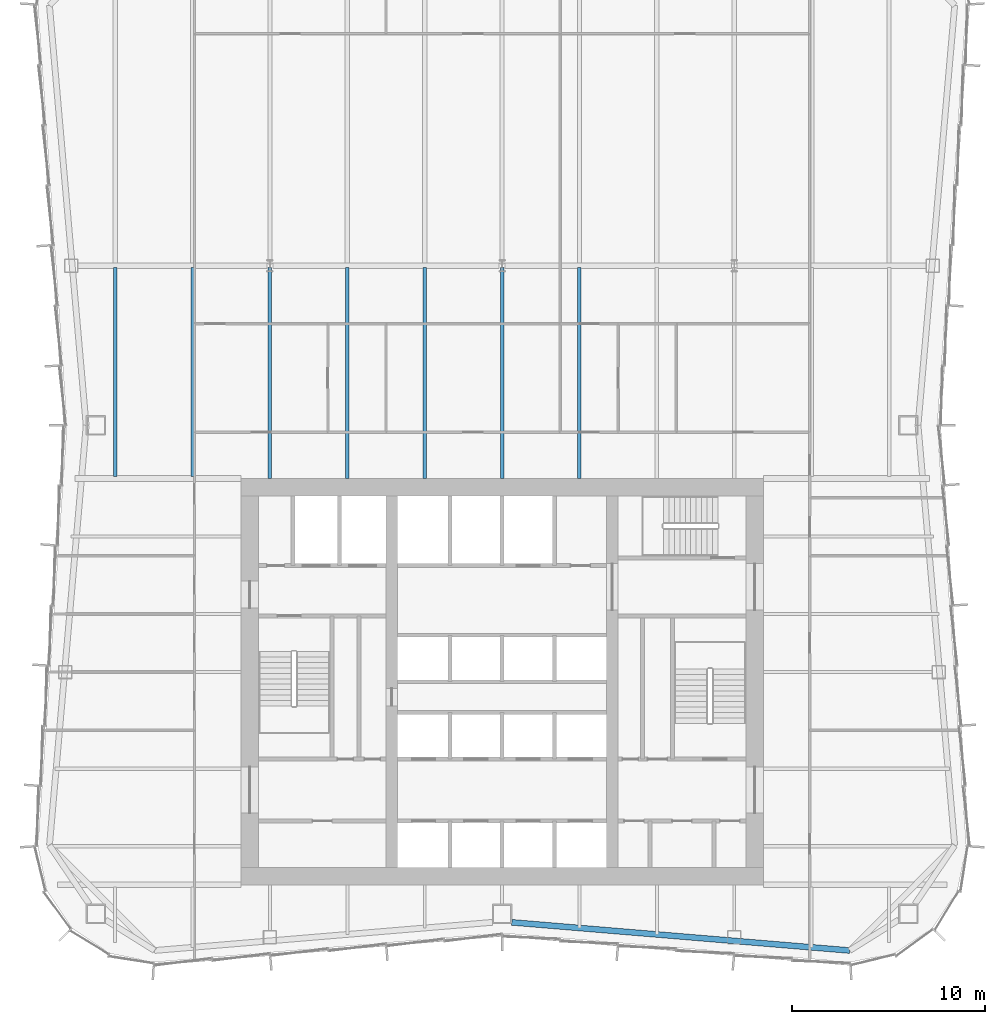
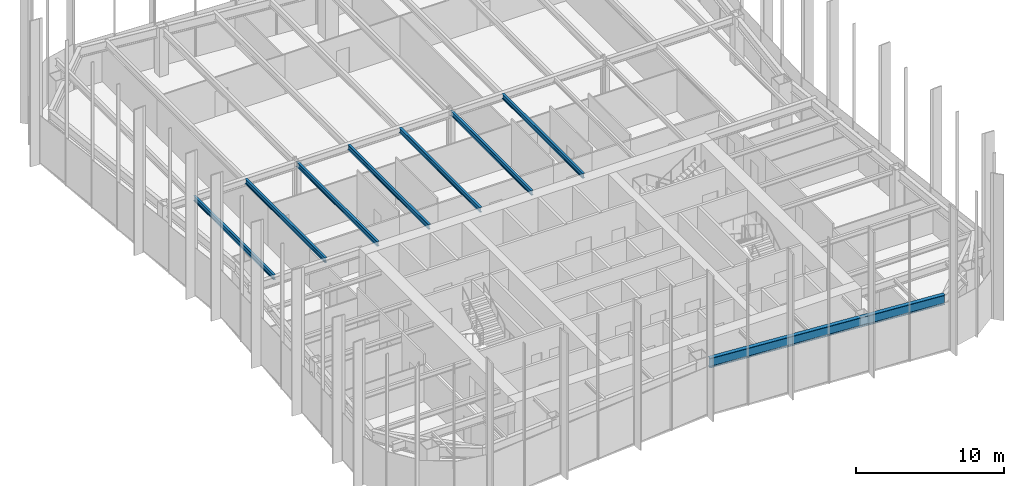
# One storey, part 3 of 13: 8 beams.
"""IFC4 building model written with IfcOpenShell, lengths in metres."""

from ifc_helpers import new_model, si_unit, direction, frame, origin, origin_2d, place, context, subcontext, project, spatial, i_section, extrude, material, material_profile, profile_set, type_object, element, save


model = new_model("IFC4")

# Units and contexts
model_context = context("Model", 3, precision=1e-05, world=origin(), true_north=direction((0.0, 1.0)))
body_context = subcontext(model_context, "Body", "Model", "MODEL_VIEW")
ifc_project = project(units=[si_unit("LENGTHUNIT", "METRE"), si_unit("AREAUNIT", "SQUARE_METRE"), si_unit("VOLUMEUNIT", "CUBIC_METRE"), si_unit("PLANEANGLEUNIT", "RADIAN"), si_unit("MASSUNIT", "GRAM", prefix="KILO")], contexts=[model_context])

# Site, building, storey
site_placement = place(None, origin())
site = spatial("IfcSite", under=ifc_project, at=site_placement, CompositionType="ELEMENT")
building_placement = place(site_placement, origin())
building = spatial("IfcBuilding", under=site, at=building_placement, Name="Verdant Reach Tower", CompositionType="ELEMENT")
storey_placement = place(building_placement, frame((0.0, 0.0, 182.0)))
storey = spatial("IfcBuildingStorey", under=building, at=storey_placement, Name="L41", CompositionType="ELEMENT", Elevation=182.0)

# Beams
ifc_material = material(Name="Steel S355", Category="steel")
ifc_material_profile_1 = material_profile(ifc_material, i_section(OverallWidth=0.179931640625, OverallDepth=0.39990234375, WebThickness=0.008544921875, FlangeThickness=0.013427734375, FilletRadius=0.02099609375, at=origin_2d()), Name="IPE 400")
ifc_profile_set_1 = profile_set([ifc_material_profile_1], Name="Steel S355")
beam_type_1 = type_object("IfcBeamType", Name="ST-JOIST-IPE400", PredefinedType="JOIST", material=ifc_profile_set_1)
for number, where, z_axis, x_axis, name in (
    (1, (-20.0, 38.60009765625, 3.669921875), (0.0, 1.0, 0.0), (-1.0, 0.0, 0.0), "Floor joist, L41"),
    (2, (-16.0, 38.60009765625, 3.669921875), (0.0, 1.0, 0.0), (-1.0, 0.0, 0.0), "Floor joist, L41"),
):
    element("IfcBeam", number, at=place(storey_placement, frame(where, z_axis=z_axis, x_axis=x_axis)), inside=storey, type_object=beam_type_1, Name=name, PredefinedType="JOIST", context=body_context, shape_type="SweptSolid", body=[
        extrude(i_section(OverallWidth=0.179931640625, OverallDepth=0.39990234375, WebThickness=0.008544921875, FlangeThickness=0.013427734375, FilletRadius=0.02099609375, at=origin_2d()), origin(), (0.0, 0.0, 1.0), 10.7998046875),
    ])
for number, where, z_axis, x_axis, name in (
    (3, (-12.0, 38.5, 3.669921875), (0.0, 1.0, 0.0), (-1.0, 0.0, 0.0), "Floor joist, L41"),
    (4, (-8.0, 38.5, 3.669921875), (0.0, 1.0, 0.0), (-1.0, 0.0, 0.0), "Floor joist, L41"),
    (5, (-4.0, 38.5, 3.669921875), (0.0, 1.0, 0.0), (-1.0, 0.0, 0.0), "Floor joist, L41"),
    (6, (0.0, 38.5, 3.669921875), (0.0, 1.0, 0.0), (-1.0, 0.0, 0.0), "Floor joist, L41"),
    (7, (4.0, 38.5, 3.669921875), (0.0, 1.0, 0.0), (-1.0, 0.0, 0.0), "Floor joist, L41"),
):
    element("IfcBeam", number, at=place(storey_placement, frame(where, z_axis=z_axis, x_axis=x_axis)), inside=storey, type_object=beam_type_1, Name=name, PredefinedType="JOIST", context=body_context, shape_type="SweptSolid", body=[
        extrude(i_section(OverallWidth=0.179931640625, OverallDepth=0.39990234375, WebThickness=0.008544921875, FlangeThickness=0.013427734375, FilletRadius=0.02099609375, at=origin_2d()), origin(), (0.0, 0.0, 1.0), 10.89990234375),
    ])
ifc_material_profile_2 = material_profile(ifc_material, i_section(OverallWidth=0.300048828125, OverallDepth=0.800048828125, WebThickness=0.017578125, FlangeThickness=0.032958984375, FilletRadius=0.030029296875, at=origin_2d()), Name="HEB 800")
ifc_profile_set_2 = profile_set([ifc_material_profile_2], Name="Steel S355")
beam_type_2 = type_object("IfcBeamType", Name="ST-SPANDREL-HEB800", PredefinedType="SPANDREL", material=ifc_profile_set_2)
beam_placement = place(storey_placement, frame((17.9658203125, 14.10498046875, 3.469970703125), z_axis=(-0.99654652675, 0.083036257282, 0.0), x_axis=(-0.083036257282, -0.99654652675, 0.0)))
element("IfcBeam", 8, at=beam_placement, inside=storey, type_object=beam_type_2, Name="Edge beam, L41", PredefinedType="SPANDREL", context=body_context, shape_type="SweptSolid", body=[
    extrude(i_section(OverallWidth=0.300048828125, OverallDepth=0.800048828125, WebThickness=0.017578125, FlangeThickness=0.032958984375, FilletRadius=0.030029296875, at=origin_2d()), origin(), (0.0, 0.0, 1.0), 17.5263671875),
])

save(model, "model.ifc")
